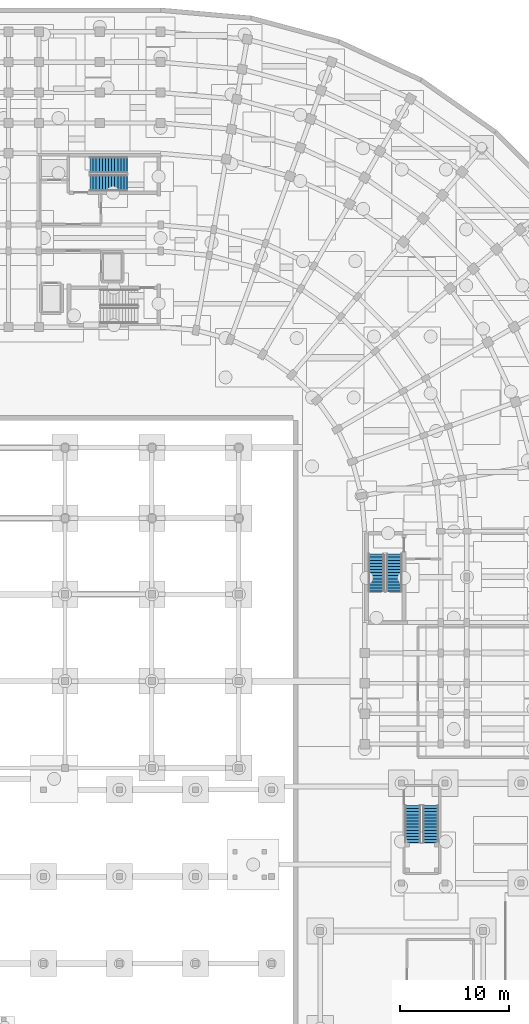
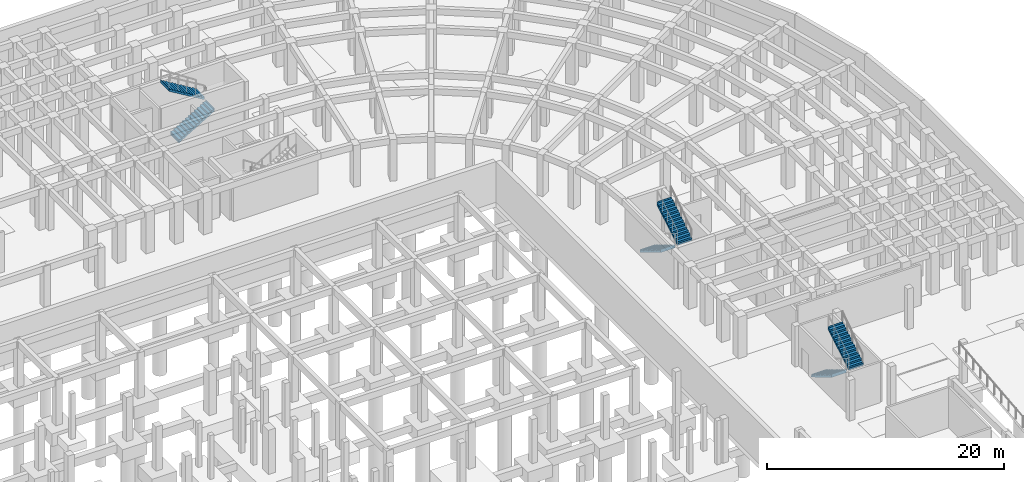
# One storey, part 39 of 53: 6 stair flights, 3 elements without a shape of their own.
"""IFC4 building model written with IfcOpenShell, lengths in metres."""

from ifc_helpers import new_model, si_unit, direction, frame, origin, place, context, subcontext, project, spatial, polyline, outline, extrude, material, type_object, element, aggregate, save


model = new_model("IFC4")

# Units and contexts
model_context = context("Model", 3, precision=1e-05, world=origin(), true_north=direction((0.0, 1.0)))
body_context = subcontext(model_context, "Body", "Model", "MODEL_VIEW")
ifc_project = project(units=[si_unit("LENGTHUNIT", "METRE"), si_unit("AREAUNIT", "SQUARE_METRE"), si_unit("VOLUMEUNIT", "CUBIC_METRE"), si_unit("PLANEANGLEUNIT", "RADIAN"), si_unit("MASSUNIT", "GRAM", prefix="KILO")], contexts=[model_context])

# Site, building, storey
site_placement = place(None, origin())
site = spatial("IfcSite", under=ifc_project, at=site_placement, CompositionType="ELEMENT")
building_placement = place(site_placement, origin())
building = spatial("IfcBuilding", under=site, at=building_placement, Name="Kiranvali Square Residences", CompositionType="ELEMENT")
storey_placement = place(building_placement, frame((0.0, 0.0, -4.5)))
storey = spatial("IfcBuildingStorey", under=building, at=storey_placement, Name="B1", CompositionType="ELEMENT", Elevation=-4.5)

# Stair, stair flights
ifc_material = material(Name="Concrete M35 (35 MPa)", Category="concrete")
stair_type = type_object("IfcStairType", Name="ST-CORE-1700", PredefinedType="HALF_TURN_STAIR", material=ifc_material)
stair_1_placement = place(storey_placement, origin())
stair_1 = element("IfcStair", 1, at=stair_1_placement, inside=storey, type_object=stair_type, Name="B1 Block B Firefighting Exit Stair 1", PredefinedType="HALF_TURN_STAIR")
stair_flight_type = type_object("IfcStairFlightType", Name="STF-1700", PredefinedType="STRAIGHT", material=ifc_material)
stair_flight_1_placement = place(storey_placement, frame((113.300048828125, 119.875, 0.0), z_axis=(0.0, 0.0, 1.0), x_axis=(1.0, 0.0, 0.0)))
stair_flight_1 = element("IfcStairFlight", 2, at=stair_flight_1_placement, type_object=stair_flight_type, Name="ST-B1 flight 1", NumberOfRisers=13, NumberOfTreads=12, PredefinedType="STRAIGHT", RiserHeight=0.173076923, TreadLength=0.285, context=body_context, shape_type="SweptSolid", body=[
    extrude(outline(polyline([(-0.02001953125, -0.14990234375), (-0.02001953125, 0.0), (0.0, 0.0), (0.0, 0.173095703125), (0.284912109375, 0.173095703125), (0.284912109375, 0.34619140625), (0.570068359375, 0.34619140625), (0.570068359375, 0.519287109375), (0.85498046875, 0.519287109375), (0.85498046875, 0.6923828125), (1.139892578125, 0.6923828125), (1.139892578125, 0.865478515625), (1.425048828125, 0.865478515625), (1.425048828125, 1.03857421875), (1.7099609375, 1.03857421875), (1.7099609375, 1.21142578125), (1.9951171875, 1.21142578125), (1.9951171875, 1.384521484375), (2.280029296875, 1.384521484375), (2.280029296875, 1.5576171875), (2.56494140625, 1.5576171875), (2.56494140625, 1.730712890625), (2.85009765625, 1.730712890625), (2.85009765625, 1.90380859375), (3.135009765625, 1.90380859375), (3.135009765625, 2.076904296875), (3.419921875, 2.076904296875), (3.419921875, 2.25), (3.43994140625, 2.25), (3.43994140625, 1.901611328125), (3.419921875, 1.901611328125), (0.0, -0.14990234375), (-0.02001953125, -0.14990234375)])), frame((0.0, 0.72509765625, 0.0), z_axis=(0.0, -1.0, 0.0), x_axis=(1.0, 0.0, 0.0)), (0.0, 0.0, 1.0), 1.449951171875),
])
stair_flight_2_placement = place(storey_placement, frame((116.719970703125, 121.52490234375, 2.25), z_axis=(0.0, 0.0, 1.0), x_axis=(-1.0, 0.0, 0.0)))
stair_flight_2 = element("IfcStairFlight", 3, at=stair_flight_2_placement, type_object=stair_flight_type, Name="ST-B1 flight 2", NumberOfRisers=13, NumberOfTreads=12, PredefinedType="STRAIGHT", RiserHeight=0.173076923, TreadLength=0.285, context=body_context, shape_type="SweptSolid", body=[
    extrude(outline(polyline([(-0.02001953125, -0.14990234375), (-0.02001953125, 0.0), (0.0, 0.0), (0.0, 0.173095703125), (0.284912109375, 0.173095703125), (0.284912109375, 0.34619140625), (0.570068359375, 0.34619140625), (0.570068359375, 0.519287109375), (0.85498046875, 0.519287109375), (0.85498046875, 0.6923828125), (1.139892578125, 0.6923828125), (1.139892578125, 0.865478515625), (1.425048828125, 0.865478515625), (1.425048828125, 1.03857421875), (1.7099609375, 1.03857421875), (1.7099609375, 1.21142578125), (1.9951171875, 1.21142578125), (1.9951171875, 1.384521484375), (2.280029296875, 1.384521484375), (2.280029296875, 1.5576171875), (2.56494140625, 1.5576171875), (2.56494140625, 1.730712890625), (2.85009765625, 1.730712890625), (2.85009765625, 1.90380859375), (3.135009765625, 1.90380859375), (3.135009765625, 2.076904296875), (3.419921875, 2.076904296875), (3.419921875, 2.25), (3.43994140625, 2.25), (3.43994140625, 1.901611328125), (3.419921875, 1.901611328125), (0.0, -0.14990234375), (-0.02001953125, -0.14990234375)])), frame((0.0, 0.72509765625, 0.0), z_axis=(0.0, -1.0, 0.0), x_axis=(1.0, 0.0, 0.0)), (0.0, 0.0, 1.0), 1.449951171875),
])
aggregate(stair_1, [stair_flight_1, stair_flight_2])

stair_2_placement = place(storey_placement, origin())
stair_2 = element("IfcStair", 4, at=stair_2_placement, inside=storey, type_object=stair_type, Name="B1 Block B Wing Protected Exit Stair 3", PredefinedType="HALF_TURN_STAIR")
stair_flight_3_placement = place(storey_placement, frame((139.675048828125, 85.699951171875, 0.0), z_axis=(0.0, 0.0, 1.0), x_axis=(0.0, -1.0, 0.0)))
stair_flight_3 = element("IfcStairFlight", 5, at=stair_flight_3_placement, type_object=stair_flight_type, Name="ST-B3 flight 1", NumberOfRisers=13, NumberOfTreads=12, PredefinedType="STRAIGHT", RiserHeight=0.173076923, TreadLength=0.285, context=body_context, shape_type="SweptSolid", body=[
    extrude(outline(polyline([(-0.02001953125, -0.14990234375), (-0.02001953125, 0.0), (0.0, 0.0), (0.0, 0.173095703125), (0.284912109375, 0.173095703125), (0.284912109375, 0.34619140625), (0.570068359375, 0.34619140625), (0.570068359375, 0.519287109375), (0.85498046875, 0.519287109375), (0.85498046875, 0.6923828125), (1.139892578125, 0.6923828125), (1.139892578125, 0.865478515625), (1.425048828125, 0.865478515625), (1.425048828125, 1.03857421875), (1.7099609375, 1.03857421875), (1.7099609375, 1.21142578125), (1.9951171875, 1.21142578125), (1.9951171875, 1.384521484375), (2.280029296875, 1.384521484375), (2.280029296875, 1.5576171875), (2.56494140625, 1.5576171875), (2.56494140625, 1.730712890625), (2.85009765625, 1.730712890625), (2.85009765625, 1.90380859375), (3.135009765625, 1.90380859375), (3.135009765625, 2.076904296875), (3.419921875, 2.076904296875), (3.419921875, 2.25), (3.43994140625, 2.25), (3.43994140625, 1.901611328125), (3.419921875, 1.901611328125), (0.0, -0.14990234375), (-0.02001953125, -0.14990234375)])), frame((0.0, 0.72509765625, 0.0), z_axis=(0.0, -1.0, 0.0), x_axis=(1.0, 0.0, 0.0)), (0.0, 0.0, 1.0), 1.449951171875),
])
stair_flight_4_placement = place(storey_placement, frame((141.324951171875, 82.280029296875, 2.25), z_axis=(0.0, 0.0, 1.0), x_axis=(0.0, 1.0, 0.0)))
stair_flight_4 = element("IfcStairFlight", 6, at=stair_flight_4_placement, type_object=stair_flight_type, Name="ST-B3 flight 2", NumberOfRisers=13, NumberOfTreads=12, PredefinedType="STRAIGHT", RiserHeight=0.173076923, TreadLength=0.285, context=body_context, shape_type="SweptSolid", body=[
    extrude(outline(polyline([(-0.02001953125, -0.14990234375), (-0.02001953125, 0.0), (0.0, 0.0), (0.0, 0.173095703125), (0.284912109375, 0.173095703125), (0.284912109375, 0.34619140625), (0.570068359375, 0.34619140625), (0.570068359375, 0.519287109375), (0.85498046875, 0.519287109375), (0.85498046875, 0.6923828125), (1.139892578125, 0.6923828125), (1.139892578125, 0.865478515625), (1.425048828125, 0.865478515625), (1.425048828125, 1.03857421875), (1.7099609375, 1.03857421875), (1.7099609375, 1.21142578125), (1.9951171875, 1.21142578125), (1.9951171875, 1.384521484375), (2.280029296875, 1.384521484375), (2.280029296875, 1.5576171875), (2.56494140625, 1.5576171875), (2.56494140625, 1.730712890625), (2.85009765625, 1.730712890625), (2.85009765625, 1.90380859375), (3.135009765625, 1.90380859375), (3.135009765625, 2.076904296875), (3.419921875, 2.076904296875), (3.419921875, 2.25), (3.43994140625, 2.25), (3.43994140625, 1.901611328125), (3.419921875, 1.901611328125), (0.0, -0.14990234375), (-0.02001953125, -0.14990234375)])), frame((0.0, 0.72509765625, 0.0), z_axis=(0.0, -1.0, 0.0), x_axis=(1.0, 0.0, 0.0)), (0.0, 0.0, 1.0), 1.449951171875),
])
aggregate(stair_2, [stair_flight_3, stair_flight_4])

stair_3_placement = place(storey_placement, origin())
stair_3 = element("IfcStair", 7, at=stair_3_placement, inside=storey, type_object=stair_type, Name="B1 East Street Basement Exit Stair P2", PredefinedType="HALF_TURN_STAIR")
stair_flight_5_placement = place(storey_placement, frame((143.02490234375, 62.550048828125, 0.0), z_axis=(0.0, 0.0, 1.0), x_axis=(0.0, -1.0, 0.0)))
stair_flight_5 = element("IfcStairFlight", 8, at=stair_flight_5_placement, type_object=stair_flight_type, Name="ST-P2 flight 1", NumberOfRisers=13, NumberOfTreads=12, PredefinedType="STRAIGHT", RiserHeight=0.173076923, TreadLength=0.285, context=body_context, shape_type="SweptSolid", body=[
    extrude(outline(polyline([(-0.02001953125, -0.14990234375), (-0.02001953125, 0.0), (0.0, 0.0), (0.0, 0.173095703125), (0.284912109375, 0.173095703125), (0.284912109375, 0.34619140625), (0.570068359375, 0.34619140625), (0.570068359375, 0.519287109375), (0.85498046875, 0.519287109375), (0.85498046875, 0.6923828125), (1.139892578125, 0.6923828125), (1.139892578125, 0.865478515625), (1.425048828125, 0.865478515625), (1.425048828125, 1.03857421875), (1.7099609375, 1.03857421875), (1.7099609375, 1.21142578125), (1.9951171875, 1.21142578125), (1.9951171875, 1.384521484375), (2.280029296875, 1.384521484375), (2.280029296875, 1.5576171875), (2.56494140625, 1.5576171875), (2.56494140625, 1.730712890625), (2.85009765625, 1.730712890625), (2.85009765625, 1.90380859375), (3.135009765625, 1.90380859375), (3.135009765625, 2.076904296875), (3.419921875, 2.076904296875), (3.419921875, 2.25), (3.43994140625, 2.25), (3.43994140625, 1.901611328125), (3.419921875, 1.901611328125), (0.0, -0.14990234375), (-0.02001953125, -0.14990234375)])), frame((0.0, 0.72509765625, 0.0), z_axis=(0.0, -1.0, 0.0), x_axis=(1.0, 0.0, 0.0)), (0.0, 0.0, 1.0), 1.449951171875),
])
stair_flight_6_placement = place(storey_placement, frame((144.675048828125, 59.1298828125, 2.25), z_axis=(0.0, 0.0, 1.0), x_axis=(0.0, 1.0, 0.0)))
stair_flight_6 = element("IfcStairFlight", 9, at=stair_flight_6_placement, type_object=stair_flight_type, Name="ST-P2 flight 2", NumberOfRisers=13, NumberOfTreads=12, PredefinedType="STRAIGHT", RiserHeight=0.173076923, TreadLength=0.285, context=body_context, shape_type="SweptSolid", body=[
    extrude(outline(polyline([(-0.02001953125, -0.14990234375), (-0.02001953125, 0.0), (0.0, 0.0), (0.0, 0.173095703125), (0.284912109375, 0.173095703125), (0.284912109375, 0.34619140625), (0.570068359375, 0.34619140625), (0.570068359375, 0.519287109375), (0.85498046875, 0.519287109375), (0.85498046875, 0.6923828125), (1.139892578125, 0.6923828125), (1.139892578125, 0.865478515625), (1.425048828125, 0.865478515625), (1.425048828125, 1.03857421875), (1.7099609375, 1.03857421875), (1.7099609375, 1.21142578125), (1.9951171875, 1.21142578125), (1.9951171875, 1.384521484375), (2.280029296875, 1.384521484375), (2.280029296875, 1.5576171875), (2.56494140625, 1.5576171875), (2.56494140625, 1.730712890625), (2.85009765625, 1.730712890625), (2.85009765625, 1.90380859375), (3.135009765625, 1.90380859375), (3.135009765625, 2.076904296875), (3.419921875, 2.076904296875), (3.419921875, 2.25), (3.43994140625, 2.25), (3.43994140625, 1.901611328125), (3.419921875, 1.901611328125), (0.0, -0.14990234375), (-0.02001953125, -0.14990234375)])), frame((0.0, 0.72509765625, 0.0), z_axis=(0.0, -1.0, 0.0), x_axis=(1.0, 0.0, 0.0)), (0.0, 0.0, 1.0), 1.449951171875),
])
aggregate(stair_3, [stair_flight_5, stair_flight_6])

save(model, "model.ifc")
